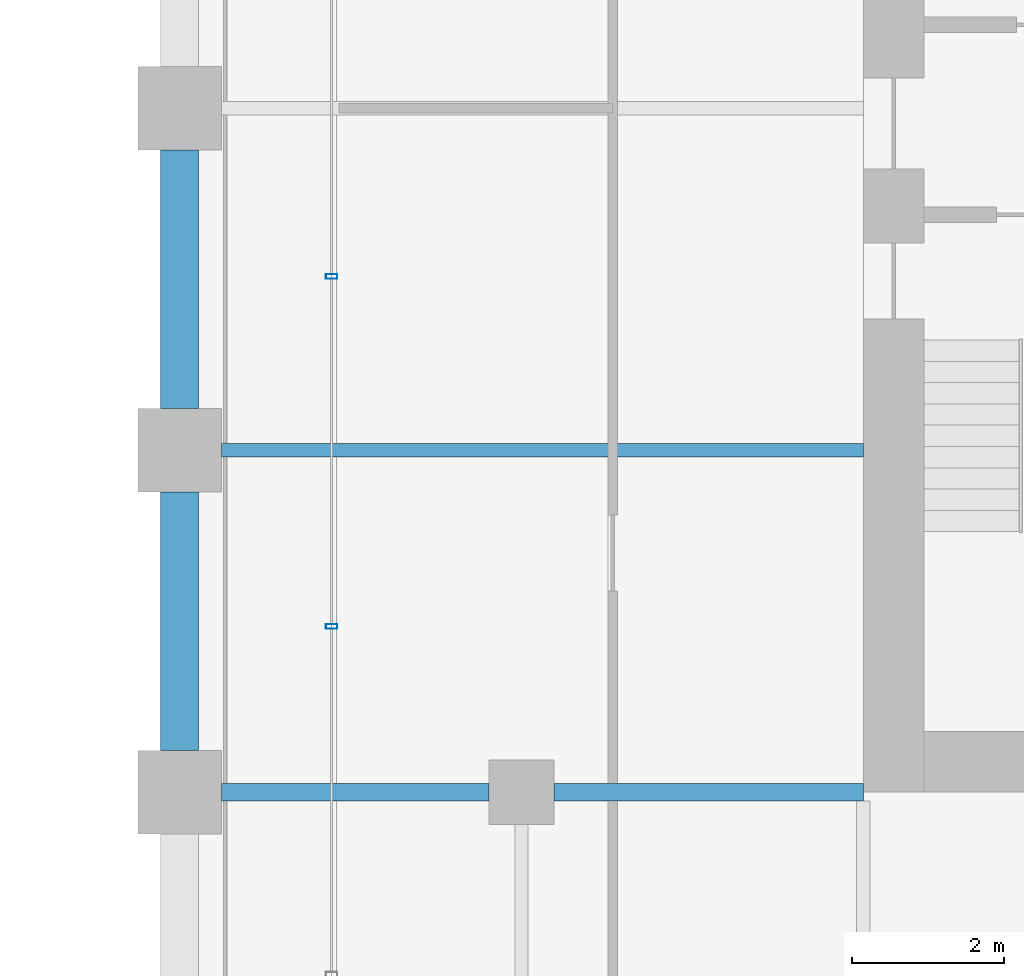
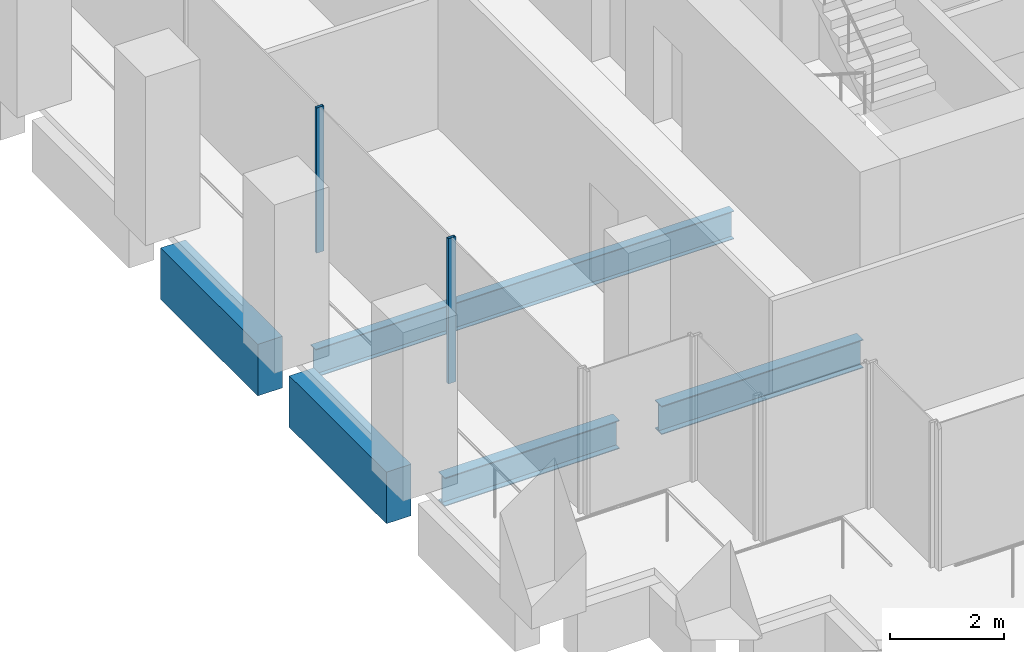
# One storey, part 36 of 54: 5 beams, 2 members, 1 element without a shape of its own.
"""IFC4 building model written with IfcOpenShell, lengths in metres."""

import ifcopenshell
import ifcopenshell.guid

model = None  # the IFC model being written
_history = None  # IfcOwnerHistory: only IFC2X3 demands one
_inside = {}  # id of a spatial element -> (the spatial element, [elements in it])
_under = {}  # id of a project, library or spatial element -> (it, [spatial elements below it])
_declared = {}  # id of a project -> (the project, [libraries it declares])
_typed = {}  # id of a type object -> (the type object, [elements of that type])
_made_of = {}  # id of a material, layer set ... -> (it, [elements and type objects made of it])


def new_model(schema):
    """Start an empty IFC model of exactly this schema.

    Asked for "IFC4X3", IfcOpenShell would pick the latest addendum, in which some entities
    have other attributes; the version numbers below select the first issue.
    IFC2X3 requires an IfcOwnerHistory on every rooted entity: one is made here for all.
    """
    global model, _history
    if schema == "IFC4X3":
        model = ifcopenshell.file(schema_version=(4, 3, 0, 0))
    else:
        model = ifcopenshell.file(schema=schema)
    _inside.clear()
    _under.clear()
    _declared.clear()
    _typed.clear()
    _made_of.clear()
    _history = None
    if model.schema == "IFC2X3":
        org = make("IfcOrganization", Name="unknown")
        user = make(
            "IfcPersonAndOrganization",
            ThePerson=make("IfcPerson", FamilyName="unknown"),
            TheOrganization=org,
        )
        app = make(
            "IfcApplication",
            ApplicationDeveloper=org,
            Version="unknown",
            ApplicationFullName="unknown",
            ApplicationIdentifier="unknown",
        )
        _history = make(
            "IfcOwnerHistory",
            OwningUser=user,
            OwningApplication=app,
            ChangeAction="ADDED",
            CreationDate=0,
        )
    return model


def make(cls, **values):
    """One entity of the class cls with the attributes given. An attribute that is None is left unset."""
    return model.create_entity(
        cls, **{name: value for name, value in values.items() if value is not None}
    )


def rooted(cls, **values):
    """An entity with a GlobalId (a new one), such as an element, a storey or a relation."""
    return make(cls, GlobalId=ifcopenshell.guid.new(), OwnerHistory=_history, **values)


def si_unit(unit_type, name, prefix=None):
    """IfcSIUnit, for example si_unit("LENGTHUNIT", "METRE", prefix="MILLI")."""
    return make("IfcSIUnit", UnitType=unit_type, Prefix=prefix, Name=name)


def assignment(units):
    """IfcUnitAssignment: the units of a project."""
    return None if units is None else make("IfcUnitAssignment", Units=units)


def point(xyz):
    """IfcCartesianPoint."""
    return None if xyz is None else make("IfcCartesianPoint", Coordinates=xyz)


def direction(xyz):
    """IfcDirection."""
    return None if xyz is None else make("IfcDirection", DirectionRatios=xyz)


def frame(location, z_axis=None, x_axis=None):
    """IfcAxis2Placement3D, a coordinate frame: its origin and axes. An axis left out is left unset."""
    return make(
        "IfcAxis2Placement3D",
        Location=point(location),
        Axis=direction(z_axis),
        RefDirection=direction(x_axis),
    )


def frame_2d(location, x_axis=None):
    """IfcAxis2Placement2D, a coordinate frame in the plane: its origin and x axis."""
    return make(
        "IfcAxis2Placement2D", Location=point(location), RefDirection=direction(x_axis)
    )


def origin():
    """The frame at (0, 0, 0) with its axes left unset."""
    return frame((0.0, 0.0, 0.0))


def origin_2d():
    """The frame at (0, 0) in the plane with its x axis left unset."""
    return frame_2d((0.0, 0.0))


def place(relative_to, where):
    """IfcLocalPlacement: puts the frame where relative to a parent placement (None: the world)."""
    return make(
        "IfcLocalPlacement", PlacementRelTo=relative_to, RelativePlacement=where
    )


def context(
    kind, dimensions, precision=None, world=None, true_north=None, identifier=None
):
    """IfcGeometricRepresentationContext, for example the 3D "Model" context."""
    return make(
        "IfcGeometricRepresentationContext",
        ContextIdentifier=identifier,
        ContextType=kind,
        CoordinateSpaceDimension=dimensions,
        Precision=precision,
        WorldCoordinateSystem=world,
        TrueNorth=true_north,
    )


def subcontext(parent, identifier, kind, view, scale=None):
    """IfcGeometricRepresentationSubContext, for example "Body" below "Model"."""
    return make(
        "IfcGeometricRepresentationSubContext",
        ContextIdentifier=identifier,
        ContextType=kind,
        ParentContext=parent,
        TargetScale=scale,
        TargetView=view,
    )


def project(units=None, contexts=None):
    """IfcProject with its units and contexts."""
    return rooted(
        "IfcProject",
        Name="project",
        RepresentationContexts=contexts,
        UnitsInContext=assignment(units),
    )


def spatial(cls, under=None, at=None, **own):
    """A site, building, storey or space (cls), placed at a placement, below another one or the project."""
    s = rooted(cls, ObjectPlacement=at, **own)
    if under is not None:
        _under.setdefault(under.id(), (under, []))[1].append(s)
    return s


def profile(cls, at=None, kind="AREA", **sizes):
    """A parametric profile (cls). Its sizes go by their IFC names, for example OverallWidth=200.0."""
    return make(cls, ProfileType=kind, Position=at, **sizes)


def rectangle(**sizes):
    """IfcRectangleProfileDef."""
    return profile("IfcRectangleProfileDef", **sizes)


def hollow_rectangle(**sizes):
    """IfcRectangleHollowProfileDef."""
    return profile("IfcRectangleHollowProfileDef", **sizes)


def i_section(**sizes):
    """IfcIShapeProfileDef."""
    return profile("IfcIShapeProfileDef", **sizes)


def extrude(swept, where, along, depth):
    """IfcExtrudedAreaSolid: the profile swept, set in the frame where, extruded along a direction by depth."""
    return make(
        "IfcExtrudedAreaSolid",
        SweptArea=swept,
        Position=where,
        ExtrudedDirection=direction(along),
        Depth=depth,
    )


def shape(context_of_items, identifier, shape_type, items):
    """IfcShapeRepresentation: the items that make up one representation, for example the "Body"."""
    return make(
        "IfcShapeRepresentation",
        ContextOfItems=context_of_items,
        RepresentationIdentifier=identifier,
        RepresentationType=shape_type,
        Items=items,
    )


def material(Name=None, Category=None):
    """IfcMaterial."""
    return make("IfcMaterial", Name=Name, Category=Category)


def material_profile(
    of_material, cross_section, Name=None, Category=None, Priority=None
):
    """IfcMaterialProfile: a cross section and its material."""
    return make(
        "IfcMaterialProfile",
        Name=Name,
        Material=of_material,
        Profile=cross_section,
        Priority=Priority,
        Category=Category,
    )


def profile_set(profiles, Name=None, composite=None):
    """IfcMaterialProfileSet."""
    return make(
        "IfcMaterialProfileSet",
        Name=Name,
        MaterialProfiles=profiles,
        CompositeProfile=composite,
    )


def made_of(thing, what):
    """Note that an element or type object is made of a material, layer set ...; save() writes the relation."""
    if what is not None:
        _made_of.setdefault(what.id(), (what, []))[1].append(thing)
    return thing


def type_object(cls, material=None, **own):
    """A type object (cls), such as IfcWallType, which elements share."""
    return made_of(rooted(cls, **own), material)


def element(
    cls,
    number,
    at=None,
    inside=None,
    cuts=None,
    type_object=None,
    material=None,
    context=None,
    identifier="Body",
    shape_type=None,
    held_by="IfcProductDefinitionShape",
    body=None,
    shapes=None,
    **own,
):
    """One element of the class cls, such as IfcWall. Its Tag is "e" and its number.

    at: its placement. inside: the storey or other place that contains it. cuts: it is an
    opening in that element (IfcRelVoidsElement). A single representation is given by context,
    identifier, shape_type and body (its items); several are given by shapes. held_by: the class
    of the entity that holds the representations. save() writes the other relations.
    """
    e = rooted(cls, Tag="e%d" % number, ObjectPlacement=at, **own)
    if body is not None:
        shapes = [shape(context, identifier, shape_type, body)]
    if shapes is not None:
        e.Representation = make(held_by, Representations=shapes)
    if inside is not None:
        _inside.setdefault(inside.id(), (inside, []))[1].append(e)
    if cuts is not None:
        rooted(
            "IfcRelVoidsElement", RelatingBuildingElement=cuts, RelatedOpeningElement=e
        )
    if type_object is not None:
        _typed.setdefault(type_object.id(), (type_object, []))[1].append(e)
    return made_of(e, material)


def aggregate(whole, parts):
    """IfcRelAggregates: a whole, such as a stair, and the parts it consists of."""
    return rooted("IfcRelAggregates", RelatingObject=whole, RelatedObjects=parts)


def save(model, path):
    """Write the relations noted so far, then the file.

    IfcRelAggregates (storeys below a building ...), IfcRelContainedInSpatialStructure (elements
    in a storey), IfcRelDefinesByType, IfcRelAssociatesMaterial and IfcRelDeclares: one each for
    every whole, place, type object, material and project.
    """
    for whole, parts in _under.values():
        aggregate(whole, parts)
    for where, things in _inside.values():
        rooted(
            "IfcRelContainedInSpatialStructure",
            RelatedElements=things,
            RelatingStructure=where,
        )
    for kind, things in _typed.values():
        rooted("IfcRelDefinesByType", RelatedObjects=things, RelatingType=kind)
    for what, things in _made_of.values():
        rooted("IfcRelAssociatesMaterial", RelatedObjects=things, RelatingMaterial=what)
    for by, libraries in _declared.values():
        rooted("IfcRelDeclares", RelatingContext=by, RelatedDefinitions=libraries)
    model.write(path)


model = new_model("IFC4")

# Units and contexts
model_context = context("Model", 3, precision=1e-05, world=origin(), true_north=direction((0.0, 1.0)))
body_context = subcontext(model_context, "Body", "Model", "MODEL_VIEW")
ifc_project = project(units=[si_unit("LENGTHUNIT", "METRE"), si_unit("AREAUNIT", "SQUARE_METRE"), si_unit("VOLUMEUNIT", "CUBIC_METRE"), si_unit("PLANEANGLEUNIT", "RADIAN"), si_unit("MASSUNIT", "GRAM", prefix="KILO")], contexts=[model_context])

# Site, building, storey
site_placement = place(None, origin())
site = spatial("IfcSite", under=ifc_project, at=site_placement, CompositionType="ELEMENT")
building_placement = place(site_placement, origin())
building = spatial("IfcBuilding", under=site, at=building_placement, Name="Altepetl Exchange Towers", CompositionType="ELEMENT")
storey_placement = place(building_placement, frame((0.0, 0.0, 65.39990234375)))
storey = spatial("IfcBuildingStorey", under=building, at=storey_placement, Name="L15", CompositionType="ELEMENT", Elevation=65.39990234375)

# Beams
ifc_material_1 = material(Name="Steel S355", Category="steel")
ifc_material_profile_1 = material_profile(ifc_material_1, i_section(OverallWidth=0.177978515625, OverallDepth=0.59912109375, WebThickness=0.010009765625, FlangeThickness=0.0126953125, at=origin_2d()), Name="W24X55")
ifc_profile_set_1 = profile_set([ifc_material_profile_1], Name="Steel S355")
beam_type_1 = type_object("IfcBeamType", Name="Floor beam W24X55", PredefinedType="BEAM", material=ifc_profile_set_1)
beam_1_placement = place(storey_placement, frame((95.050048828125, 40.5, -0.449462890625), z_axis=(1.0, 0.0, 0.0), x_axis=(0.0, 1.0, 0.0)))
element("IfcBeam", 1, at=beam_1_placement, inside=storey, type_object=beam_type_1, Name="bm:B:L15:012", PredefinedType="BEAM", context=body_context, shape_type="SweptSolid", body=[
    extrude(i_section(OverallWidth=0.177978515625, OverallDepth=0.59912109375, WebThickness=0.010009765625, FlangeThickness=0.0126953125, at=origin_2d()), origin(), (0.0, 0.0, 1.0), 8.449951171875),
])
ifc_material_profile_2 = material_profile(ifc_material_1, i_section(OverallWidth=0.22802734375, OverallDepth=0.60791015625, WebThickness=0.01123046875, FlangeThickness=0.017333984375, at=origin_2d()), Name="W24X76")
ifc_profile_set_2 = profile_set([ifc_material_profile_2], Name="Steel S355")
beam_type_2 = type_object("IfcBeamType", Name="Girder W24X76", PredefinedType="BEAM", material=ifc_profile_set_2)
beam_2_placement = place(storey_placement, frame((103.5, 36.0, -0.453857421875), z_axis=(-1.0, 0.0, 0.0), x_axis=(0.0, -1.0, 0.0)))
element("IfcBeam", 2, at=beam_2_placement, inside=storey, type_object=beam_type_2, Name="gd:B:L15:006", PredefinedType="BEAM", context=body_context, shape_type="SweptSolid", body=[
    extrude(i_section(OverallWidth=0.22802734375, OverallDepth=0.60791015625, WebThickness=0.01123046875, FlangeThickness=0.017333984375, at=origin_2d()), origin(), (0.0, 0.0, 1.0), 4.074951171875),
])
beam_3_placement = place(storey_placement, frame((98.574951171875, 36.0, -0.453857421875), z_axis=(-1.0, 0.0, 0.0), x_axis=(0.0, -1.0, 0.0)))
element("IfcBeam", 3, at=beam_3_placement, inside=storey, type_object=beam_type_2, Name="gd:B:L15:007", PredefinedType="BEAM", context=body_context, shape_type="SweptSolid", body=[
    extrude(i_section(OverallWidth=0.22802734375, OverallDepth=0.60791015625, WebThickness=0.01123046875, FlangeThickness=0.017333984375, at=origin_2d()), origin(), (0.0, 0.0, 1.0), 3.52490234375),
])

# Curtain wall, members
ifc_material_2 = material(Name="Aluminium 6063-T6 glazing", Category="aluminium")
curtain_wall_type = type_object("IfcCurtainWallType", Name="Loggia glazing system", PredefinedType="NOTDEFINED", material=ifc_material_2)
curtain_wall_placement = place(storey_placement, origin())
curtain_wall = element("IfcCurtainWall", 4, at=curtain_wall_placement, inside=storey, type_object=curtain_wall_type, Name="CW1 run", PredefinedType="NOTDEFINED")
ifc_material_3 = material(Name="Aluminium 6063-T6", Category="aluminium")
ifc_material_profile_3 = material_profile(ifc_material_3, hollow_rectangle(XDim=0.06005859375, YDim=0.14990234375, WallThickness=0.0029296875, at=origin_2d()), Name="Mullion 60x150 aluminium")
ifc_profile_set_3 = profile_set([ifc_material_profile_3], Name="Aluminium 6063-T6")
member_type = type_object("IfcMemberType", Name="Mullion 60x150 aluminium", PredefinedType="MULLION", material=ifc_profile_set_3)
member_1_placement = place(storey_placement, frame((96.5, 42.78759765625, 0.0), z_axis=(0.0, 0.0, 1.0), x_axis=(0.0, -1.0, 0.0)))
member_1 = element("IfcMember", 5, at=member_1_placement, type_object=member_type, Name="MU1 mullion", PredefinedType="MULLION", context=body_context, shape_type="SweptSolid", body=[
    extrude(hollow_rectangle(XDim=0.06005859375, YDim=0.14990234375, WallThickness=0.0029296875, at=origin_2d()), origin(), (0.0, 0.0, 1.0), 3.10009765625),
])
member_2_placement = place(storey_placement, frame((96.5, 38.18115234375, 0.0), z_axis=(0.0, 0.0, 1.0), x_axis=(0.0, -1.0, 0.0)))
member_2 = element("IfcMember", 6, at=member_2_placement, type_object=member_type, Name="MU1 mullion", PredefinedType="MULLION", context=body_context, shape_type="SweptSolid", body=[
    extrude(hollow_rectangle(XDim=0.06005859375, YDim=0.14990234375, WallThickness=0.0029296875, at=origin_2d()), origin(), (0.0, 0.0, 1.0), 3.10009765625),
])
aggregate(curtain_wall, [member_1, member_2])

# Beams
ifc_material_4 = material(Name="Concrete C50/60 precast with cantera rosa facing", Category="concrete")
ifc_material_profile_4 = material_profile(ifc_material_4, rectangle(XDim=0.5, YDim=1.10009765625, at=origin_2d()), Name="500 x 1100")
ifc_profile_set_4 = profile_set([ifc_material_profile_4], Name="Concrete C50/60 precast with cantera rosa facing")
beam_type_3 = type_object("IfcBeamType", Name="Spandrel beam 500x1100 cantera rosa", PredefinedType="SPANDREL", material=ifc_profile_set_4)
for number, where, z_axis, x_axis, name in (
    (7, (94.5, 44.449951171875, -0.699951171875), (0.0, -1.0, 0.0), (1.0, 0.0, 0.0), "sp:B:L15:029"),
    (8, (94.5, 39.949951171875, -0.699951171875), (0.0, -1.0, 0.0), (1.0, 0.0, 0.0), "sp:B:L15:030"),
):
    element("IfcBeam", number, at=place(storey_placement, frame(where, z_axis=z_axis, x_axis=x_axis)), inside=storey, type_object=beam_type_3, Name=name, PredefinedType="SPANDREL", context=body_context, shape_type="SweptSolid", body=[
        extrude(rectangle(XDim=0.5, YDim=1.10009765625, at=origin_2d()), origin(), (0.0, 0.0, 1.0), 3.39990234375),
    ])

save(model, "model.ifc")
